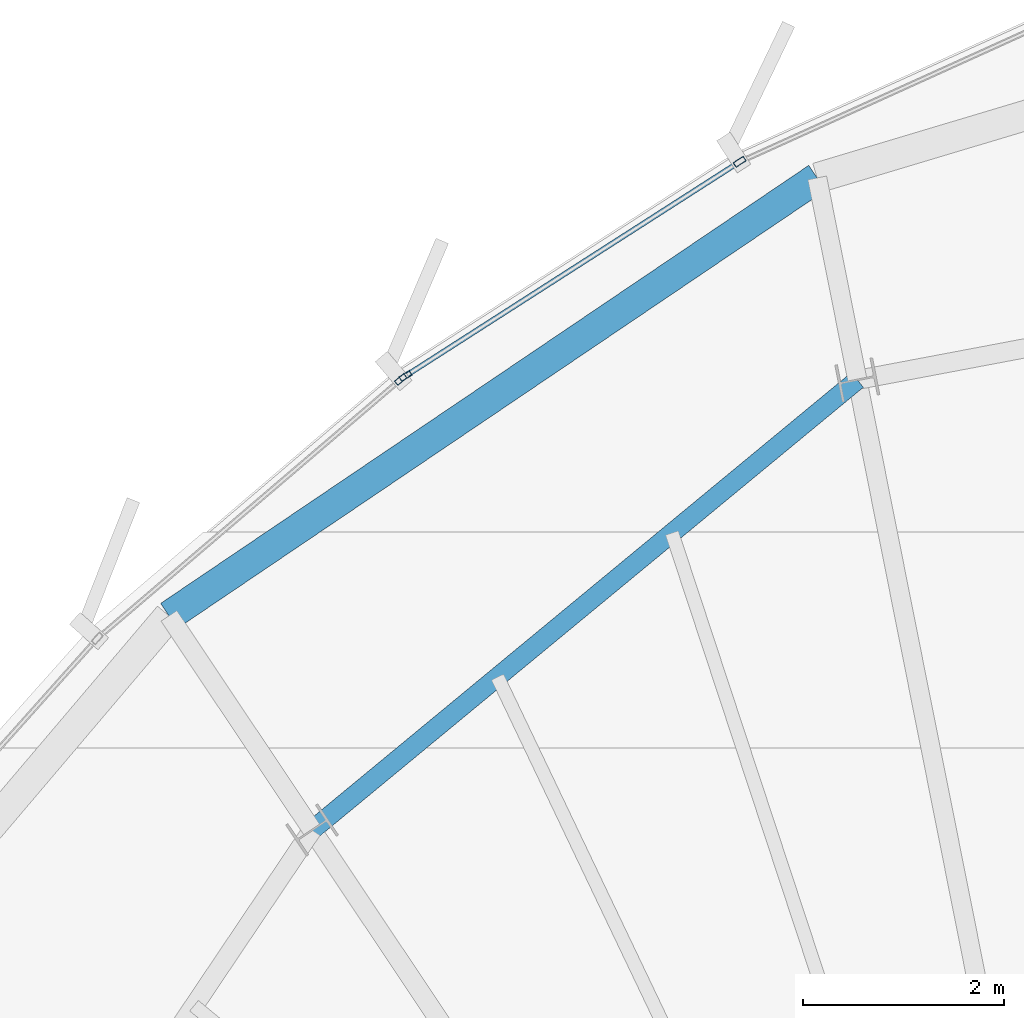
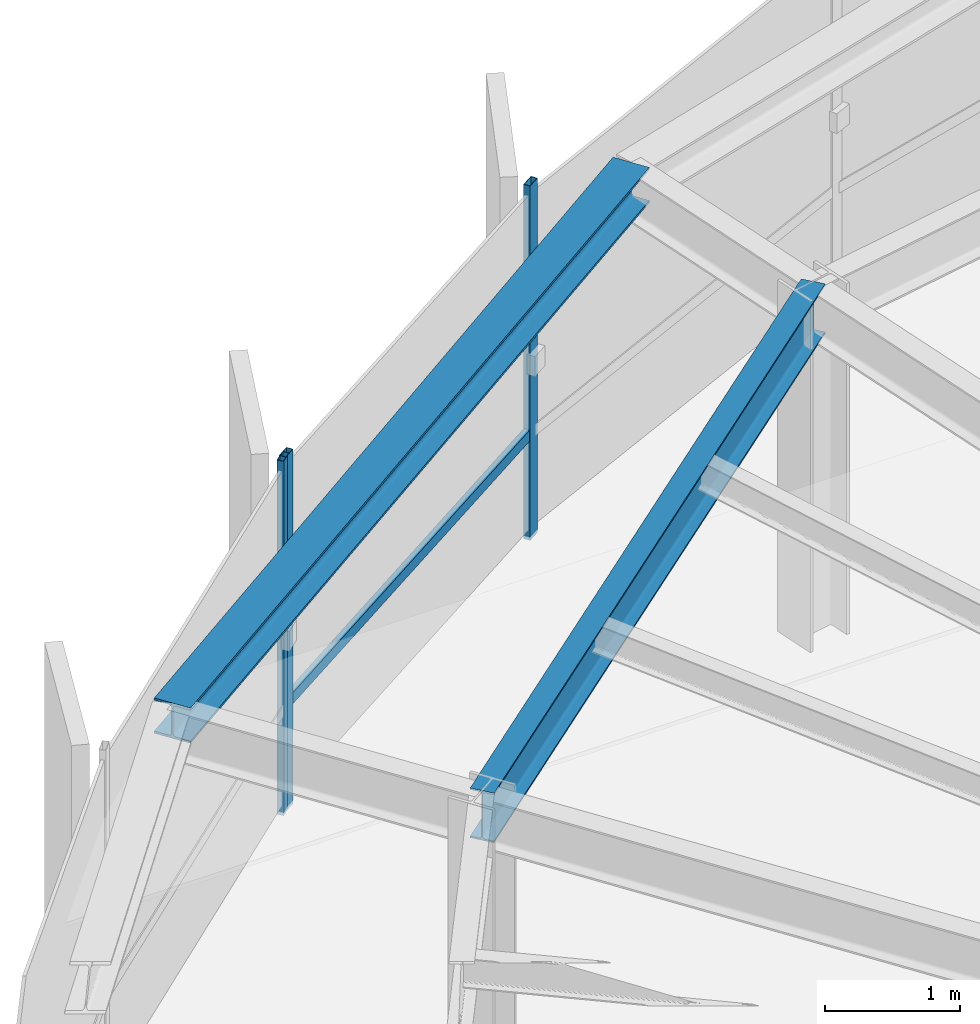
# One storey, part 19 of 31: 4 members, 2 beams, 2 elements without a shape of their own.
"""IFC4 building model written with IfcOpenShell, lengths in metres."""

from ifc_helpers import new_model, si_unit, direction, frame, origin, origin_2d, place, context, subcontext, project, spatial, hollow_rectangle, i_section, extrude, source, transform, mapped, material, layer, layer_set, material_profile, profile_set, type_object, element, aggregate, save


model = new_model("IFC4")

# Units and contexts
model_context = context("Model", 3, precision=1e-05, world=origin(), true_north=direction((0.0, 1.0)))
body_context = subcontext(model_context, "Body", "Model", "MODEL_VIEW")
ifc_project = project(units=[si_unit("LENGTHUNIT", "METRE"), si_unit("AREAUNIT", "SQUARE_METRE"), si_unit("VOLUMEUNIT", "CUBIC_METRE"), si_unit("PLANEANGLEUNIT", "RADIAN"), si_unit("MASSUNIT", "GRAM", prefix="KILO"), si_unit("THERMODYNAMICTEMPERATUREUNIT", "KELVIN")], contexts=[model_context])

# Site, building, storey
site_placement = place(None, origin())
site = spatial("IfcSite", under=ifc_project, at=site_placement, CompositionType="ELEMENT")
building_placement = place(site_placement, origin())
building = spatial("IfcBuilding", under=site, at=building_placement, Name="Kethvar Cultural Tower", CompositionType="ELEMENT")
storey_placement = place(building_placement, frame((0.0, 0.0, 276.699951171875)))
storey = spatial("IfcBuildingStorey", under=building, at=storey_placement, Name="L73", CompositionType="ELEMENT", Elevation=276.699951171875)

# Beams
ifc_material_1 = material(Name="Steel S355J2", Category="steel")
ifc_material_profile_1 = material_profile(ifc_material_1, i_section(OverallWidth=0.18994140625, OverallDepth=0.449951171875, WebThickness=0.009521484375, FlangeThickness=0.0146484375, FilletRadius=0.02099609375, at=origin_2d()), Name="Steel S355J2 — IPE450")
ifc_profile_set_1 = profile_set([ifc_material_profile_1], Name="Steel S355J2 — IPE450")
beam_type_1 = type_object("IfcBeamType", Name="BM-IPE450", PredefinedType="BEAM", material=ifc_profile_set_1)
shared_shape_1 = source(origin(), body_context, "Body", "SweptSolid", [
    extrude(i_section(OverallWidth=0.18994140625, OverallDepth=0.449951171875, WebThickness=0.009521484375, FlangeThickness=0.0146484375, FilletRadius=0.02099609375, at=origin_2d()), origin(), (0.0, 0.0, 1.0), 7.03271484375),
])
beam_1_placement = place(storey_placement, frame((43.23291015625, 45.732421875, 2.983154296875), z_axis=(-0.771161072103, -0.636640087391, 0.0), x_axis=(0.636640087391, -0.771161072103, 0.0)))
element("IfcBeam", 1, at=beam_1_placement, inside=storey, type_object=beam_type_1, Name="L73 Column Ring Tie Beam CR-05", PredefinedType="BEAM", context=body_context, shape_type="MappedRepresentation", body=[
    mapped(shared_shape_1, transform((0.0, 0.0, 0.0), scale=1.0)),
])
ifc_material_profile_2 = material_profile(ifc_material_1, i_section(OverallWidth=0.300048828125, OverallDepth=0.320068359375, WebThickness=0.011474609375, FlangeThickness=0.0205078125, FilletRadius=0.027099609375, at=origin_2d()), Name="Steel S355J2 — HEB320")
ifc_profile_set_2 = profile_set([ifc_material_profile_2], Name="Steel S355J2 — HEB320")
beam_type_2 = type_object("IfcBeamType", Name="BM-SP320", PredefinedType="SPANDREL", material=ifc_profile_set_2)
shared_shape_2 = source(origin(), body_context, "Body", "SweptSolid", [
    extrude(i_section(OverallWidth=0.300048828125, OverallDepth=0.320068359375, WebThickness=0.011474609375, FlangeThickness=0.0205078125, FilletRadius=0.027099609375, at=origin_2d()), origin(), (0.0, 0.0, 1.0), 7.78125),
])
beam_2_placement = place(storey_placement, frame((42.833251953125, 47.7421875, 3.048095703125), z_axis=(-0.828539006538, -0.559931348153, 0.0), x_axis=(0.559931348153, -0.828539006538, 0.0)))
element("IfcBeam", 2, at=beam_2_placement, inside=storey, type_object=beam_type_2, Name="L73 Perimeter Spandrel Beam SP-05", PredefinedType="SPANDREL", context=body_context, shape_type="MappedRepresentation", body=[
    mapped(shared_shape_2, transform((0.0, 0.0, 0.0), scale=1.0)),
])

# Curtain wall, members
ifc_material_2 = material(Name="Aluminium 6063-T6", Category="aluminium")
ifc_layer = layer(ifc_material_2, 0.179931640625, Name="Aluminium 6063-T6", Category="aluminium")
ifc_layer_set = layer_set([ifc_layer], Name="Aluminium 6063-T6 (180 mm)")
curtain_wall_type = type_object("IfcCurtainWallType", Name="CW-SYS-05-Z56", PredefinedType="NOTDEFINED", material=ifc_layer_set)
curtain_wall_1_placement = place(storey_placement, origin())
curtain_wall_1 = element("IfcCurtainWall", 3, at=curtain_wall_1_placement, inside=storey, type_object=curtain_wall_type, Name="L73 Curtain Wall Run 01", PredefinedType="NOTDEFINED")
ifc_material_profile_3 = material_profile(ifc_material_2, hollow_rectangle(XDim=0.054931640625, YDim=0.1201171875, WallThickness=0.00390625, at=origin_2d()), Name="Aluminium 6063-T6 — RHS120x55x4")
ifc_profile_set_3 = profile_set([ifc_material_profile_3], Name="Aluminium 6063-T6 — RHS120x55x4")
member_type_1 = type_object("IfcMemberType", Name="CW-SYS-05-Z56-MUL", PredefinedType="MULLION", material=ifc_profile_set_3)
shared_shape_3 = source(origin(), body_context, "Body", "SweptSolid", [
    extrude(hollow_rectangle(XDim=0.054931640625, YDim=0.1201171875, WallThickness=0.00390625, at=origin_2d()), origin(), (0.0, 0.0, 1.0), 3.2099609375),
])
member_1_placement = place(storey_placement, frame((42.062255859375, 47.90185546875, 0.0), z_axis=(0.0, 0.0, 1.0), x_axis=(0.539593927352, -0.841925408552, 0.0)))
member_1 = element("IfcMember", 4, at=member_1_placement, type_object=member_type_1, Name="CW-L73-R01 Mullion 6", PredefinedType="MULLION", context=body_context, shape_type="MappedRepresentation", body=[
    mapped(shared_shape_3, transform((0.0, 0.0, 0.0), scale=1.0)),
])
member_2_placement = place(storey_placement, frame((38.73779296875, 45.771240234375, 0.0), z_axis=(0.0, 0.0, 1.0), x_axis=(0.539593927352, -0.841925408552, 0.0)))
member_2 = element("IfcMember", 5, at=member_2_placement, type_object=member_type_1, Name="CW-L73-R01 Mullion 7", PredefinedType="MULLION", context=body_context, shape_type="MappedRepresentation", body=[
    mapped(shared_shape_3, transform((0.0, 0.0, 0.0), scale=1.0)),
])

# Curtain wall, member
curtain_wall_2_placement = place(storey_placement, origin())
curtain_wall_2 = element("IfcCurtainWall", 6, at=curtain_wall_2_placement, inside=storey, type_object=curtain_wall_type, Name="L73 Curtain Wall Run 02", PredefinedType="NOTDEFINED")
member_3_placement = place(storey_placement, frame((38.69140625, 45.73681640625, 0.0), z_axis=(0.0, 0.0, 1.0), x_axis=(0.649222402755, -0.760598627241, 0.0)))
member_3 = element("IfcMember", 7, at=member_3_placement, type_object=member_type_1, Name="CW-L73-R02 Mullion 1", PredefinedType="MULLION", context=body_context, shape_type="MappedRepresentation", body=[
    mapped(shared_shape_3, transform((0.0, 0.0, 0.0), scale=1.0)),
])
aggregate(curtain_wall_2, [member_3])

# Member
ifc_material_profile_4 = material_profile(ifc_material_2, hollow_rectangle(XDim=0.050048828125, YDim=0.10009765625, WallThickness=0.00390625, at=origin_2d()), Name="Aluminium 6063-T6 — RHS100x50x4")
ifc_profile_set_4 = profile_set([ifc_material_profile_4], Name="Aluminium 6063-T6 — RHS100x50x4")
member_type_2 = type_object("IfcMemberType", Name="CW-SYS-05-Z56-TRN", PredefinedType="USERDEFINED", material=ifc_profile_set_4)
shared_shape_4 = source(origin(), body_context, "Body", "SweptSolid", [
    extrude(hollow_rectangle(XDim=0.050048828125, YDim=0.10009765625, WallThickness=0.00390625, at=origin_2d()), origin(), (0.0, 0.0, 1.0), 3.905029296875),
])
member_4_placement = place(storey_placement, frame((42.02880859375, 47.880615234375, 0.949951171875), z_axis=(-0.84192720383, -0.539591126179, 0.0), x_axis=(0.539591126179, -0.84192720383, 0.0)))
member_4 = element("IfcMember", 8, at=member_4_placement, type_object=member_type_2, Name="CW-L73-R01 Transom 6", ObjectType="TRANSOM", PredefinedType="USERDEFINED", context=body_context, shape_type="MappedRepresentation", body=[
    mapped(shared_shape_4, transform((0.0, 0.0, 0.0), scale=1.0)),
])

aggregate(curtain_wall_1, [member_1, member_2, member_4])

save(model, "model.ifc")
